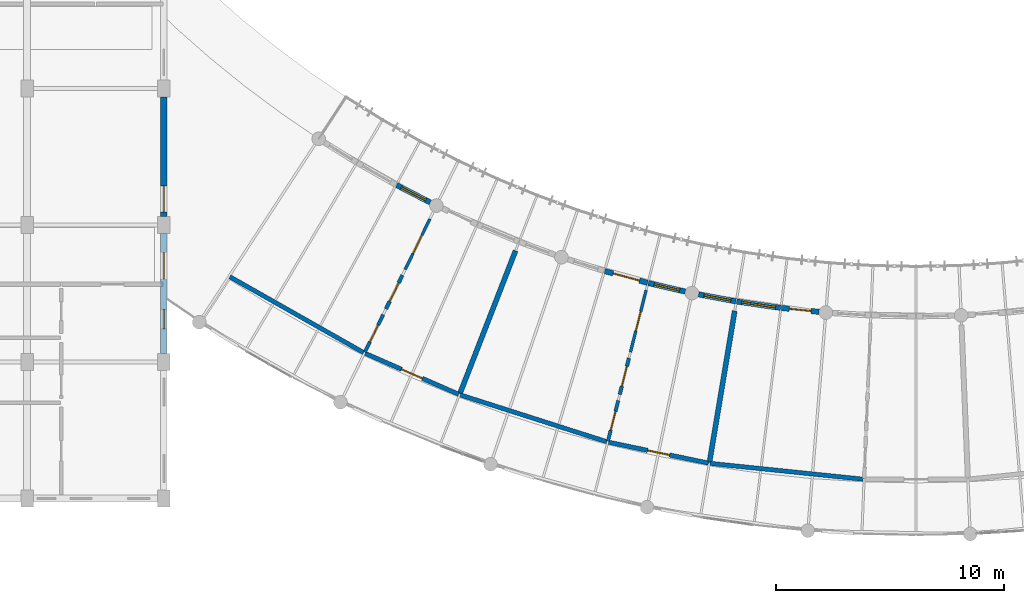
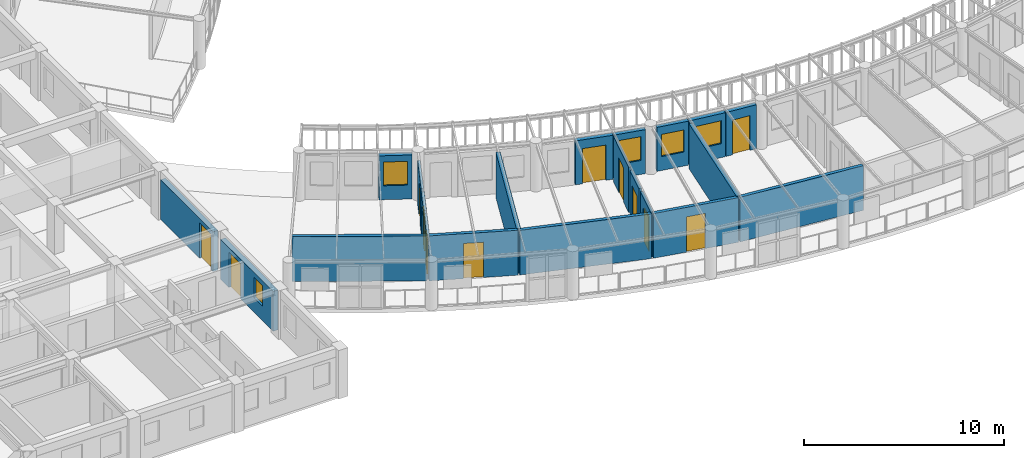
# One storey, part 57 of 100: 21 walls, 12 doors, 5 windows, 17 openings.
"""IFC4 building model written with IfcOpenShell, lengths in metres."""

from ifc_helpers import new_model, si_unit, direction, frame, frame_2d, origin, place, context, subcontext, project, spatial, rectangle, extrude, material, layer, layer_set, type_object, element, fill, save


model = new_model("IFC4")

# Units and contexts
model_context = context("Model", 3, precision=1e-05, world=origin(), true_north=direction((0.0, 1.0)))
body_context = subcontext(model_context, "Body", "Model", "MODEL_VIEW")
ifc_project = project(units=[si_unit("LENGTHUNIT", "METRE"), si_unit("AREAUNIT", "SQUARE_METRE"), si_unit("VOLUMEUNIT", "CUBIC_METRE"), si_unit("PLANEANGLEUNIT", "RADIAN"), si_unit("MASSUNIT", "GRAM", prefix="KILO"), si_unit("POWERUNIT", "WATT"), si_unit("THERMODYNAMICTEMPERATUREUNIT", "KELVIN")], contexts=[model_context])

# Site, building, storey
site_placement = place(None, origin())
site = spatial("IfcSite", under=ifc_project, at=site_placement, CompositionType="ELEMENT")
building_placement = place(site_placement, origin())
building = spatial("IfcBuilding", under=site, at=building_placement, Name="Ruvembo Vaulted Housing Court", CompositionType="ELEMENT")
storey_placement = place(building_placement, frame((0.0, 0.0, 14.10009765625)))
storey = spatial("IfcBuildingStorey", under=building, at=storey_placement, Name="L04", CompositionType="ELEMENT", Elevation=14.10009765625)

# Wall
ifc_material_1 = material(Name="Concrete Blockwork 190", Category="masonry")
ifc_layer_1 = layer(ifc_material_1, 0.18994140625, Name="Concrete Blockwork 190")
ifc_layer_set_1 = layer_set([ifc_layer_1], Name="Concrete Blockwork 190")
wall_type_1 = type_object("IfcWallType", Name="WL-CORR-190", PredefinedType="SOLIDWALL", material=ifc_layer_set_1)
wall_1_placement = place(storey_placement, frame((38.897216796875, 15.7333984375, 0.0), z_axis=(0.0, 0.0, 1.0), x_axis=(0.86996578951, -0.493112081664, 0.0)))
element("IfcWall", 1, at=wall_1_placement, inside=storey, type_object=wall_type_1, Name="L04 Suite SC2-L04-U1 Gallery Wall WL-INT-L04-01310", PredefinedType="SOLIDWALL", context=body_context, shape_type="SweptSolid", body=[
    extrude(rectangle(XDim=6.747314453125, YDim=0.18994140625, at=frame_2d((3.37353515625, 0.0))), origin(), (0.0, 0.0, 1.0), 2.741943359375),
])

# Wall, opening, door
wall_2_placement = place(storey_placement, frame((44.83837890625, 12.37060546875, 0.0), z_axis=(0.0, 0.0, 1.0), x_axis=(0.91610596958, -0.40093621999, 0.0)))
wall_2 = element("IfcWall", 2, at=wall_2_placement, inside=storey, type_object=wall_type_1, Name="L04 Suite SC2-L04-U1 Entrance WL-INT-L04-01311", PredefinedType="SOLIDWALL", context=body_context, shape_type="SweptSolid", body=[
    extrude(rectangle(XDim=4.47314453125, YDim=0.18994140625, at=frame_2d((2.236572265625, 0.0))), origin(), (0.0, 0.0, 1.0), 2.741943359375),
])
opening_1_placement = place(wall_2_placement, frame((1.736572265625, 0.0, 0.0)))
opening_1 = element("IfcOpeningElement", 3, at=opening_1_placement, cuts=wall_2, Name="Opening FD1", PredefinedType="OPENING", context=body_context, shape_type="SweptSolid", body=[
    extrude(rectangle(XDim=1.0, YDim=2.14990234375, at=frame_2d((0.5, 1.074951171875))), frame((0.0, 0.10498046875, 0.0), z_axis=(0.0, -1.0, 0.0), x_axis=(1.0, 0.0, 0.0)), (0.0, 0.0, 1.0), 0.2099609375),
])
ifc_material_2 = material(Name="FSC Hardwood and Engineered Timber", Category="wood")
door_type_1 = type_object("IfcDoorType", Name="DR-FLAT-1000x2150", OperationType="NOTDEFINED", PredefinedType="DOOR", material=ifc_material_2)
door_1_placement = place(opening_1_placement, origin())
door_1 = element("IfcDoor", 4, at=door_1_placement, inside=storey, type_object=door_type_1, Name="L04 Suite SC2-L04-U1 Entrance Door DR-INT-L04-00732", OperationType="SINGLE_SWING_RIGHT", OverallHeight=2.14990234375, OverallWidth=1.0, PredefinedType="DOOR", context=body_context, shape_type="SweptSolid", body=[
    extrude(rectangle(XDim=1.0, YDim=2.14990234375, at=frame_2d((0.5, 1.074951171875))), frame((0.0, 0.02490234375, 0.0), z_axis=(0.0, -1.0, 0.0), x_axis=(1.0, 0.0, 0.0)), (0.0, 0.0, 1.0), 0.050048828125),
])
fill(opening_1, door_1)

# Wall
wall_3_placement = place(storey_placement, frame((49.010986328125, 10.548828125, 0.0), z_axis=(0.0, 0.0, 1.0), x_axis=(0.952529122406, -0.304447484746, 0.0)))
element("IfcWall", 5, at=wall_3_placement, inside=storey, type_object=wall_type_1, Name="L04 Suite SC2-L04-U2 Gallery Wall WL-INT-L04-01316", PredefinedType="SOLIDWALL", context=body_context, shape_type="SweptSolid", body=[
    extrude(rectangle(XDim=6.747314453125, YDim=0.18994140625, at=frame_2d((3.37353515625, 0.0))), origin(), (0.0, 0.0, 1.0), 2.721923828125),
])

# Wall, opening, door
wall_4_placement = place(storey_placement, frame((55.51513671875, 8.47412109375, 0.0), z_axis=(0.0, 0.0, 1.0), x_axis=(0.978806148413, -0.204788973894, 0.0)))
wall_4 = element("IfcWall", 6, at=wall_4_placement, inside=storey, type_object=wall_type_1, Name="L04 Suite SC2-L04-U2 Entrance WL-INT-L04-01317", PredefinedType="SOLIDWALL", context=body_context, shape_type="SweptSolid", body=[
    extrude(rectangle(XDim=4.472900390625, YDim=0.18994140625, at=frame_2d((2.236328125, 0.0))), origin(), (0.0, 0.0, 1.0), 2.721923828125),
])
opening_2_placement = place(wall_4_placement, frame((1.74658203125, 0.0, 0.0)))
opening_2 = element("IfcOpeningElement", 7, at=opening_2_placement, cuts=wall_4, Name="Opening FD2", PredefinedType="OPENING", context=body_context, shape_type="SweptSolid", body=[
    extrude(rectangle(XDim=0.97998046875, YDim=2.14990234375, at=frame_2d((0.489990234375, 1.074951171875))), frame((0.0, 0.10498046875, 0.0), z_axis=(0.0, -1.0, 0.0), x_axis=(1.0, 0.0, 0.0)), (0.0, 0.0, 1.0), 0.2099609375),
])
door_type_2 = type_object("IfcDoorType", Name="DR-FLAT-0980x2150", OperationType="NOTDEFINED", PredefinedType="DOOR", material=ifc_material_2)
door_2_placement = place(opening_2_placement, origin())
door_2 = element("IfcDoor", 8, at=door_2_placement, inside=storey, type_object=door_type_2, Name="L04 Suite SC2-L04-U2 Entrance Door DR-INT-L04-00736", OperationType="SINGLE_SWING_RIGHT", OverallHeight=2.14990234375, OverallWidth=0.97998046875, PredefinedType="DOOR", context=body_context, shape_type="SweptSolid", body=[
    extrude(rectangle(XDim=0.97998046875, YDim=2.14990234375, at=frame_2d((0.489990234375, 1.074951171875))), frame((0.0, 0.02490234375, 0.0), z_axis=(0.0, -1.0, 0.0), x_axis=(1.0, 0.0, 0.0)), (0.0, 0.0, 1.0), 0.050048828125),
])
fill(opening_2, door_2)

# Walls
wall_5_placement = place(storey_placement, frame((59.972412109375, 7.545654296875, 0.0), z_axis=(0.0, 0.0, 1.0), x_axis=(0.994686939686, -0.10294606364, 0.0)))
element("IfcWall", 9, at=wall_5_placement, inside=storey, type_object=wall_type_1, Name="L04 Suite SC2-L04-U3 Gallery Wall WL-INT-L04-01322", PredefinedType="SOLIDWALL", context=body_context, shape_type="SweptSolid", body=[
    extrude(rectangle(XDim=6.7470703125, YDim=0.18994140625, at=frame_2d((3.37353515625, 0.0))), origin(), (0.0, 0.0, 1.0), 2.721923828125),
])
ifc_material_3 = material(Name="Acoustic Masonry Demising 220", Category="masonry")
ifc_layer_2 = layer(ifc_material_3, 0.219970703125, Name="Acoustic Masonry Demising 220")
ifc_layer_set_2 = layer_set([ifc_layer_2], Name="Acoustic Masonry Demising 220")
wall_type_2 = type_object("IfcWallType", Name="WL-DEM-200", PredefinedType="SOLIDWALL", material=ifc_layer_set_2)
wall_6_placement = place(storey_placement, frame((51.431396484375, 16.87548828125, 0.0), z_axis=(0.0, 0.0, 1.0), x_axis=(-0.362801288891, -0.931866527341, 0.0)))
element("IfcWall", 10, at=wall_6_placement, inside=storey, type_object=wall_type_2, Name="L04 Suite SC2-L04-U1 Demising WL-INT-L04-01315", PredefinedType="SOLIDWALL", context=body_context, shape_type="SweptSolid", body=[
    extrude(rectangle(XDim=6.736083984375, YDim=0.219970703125, at=frame_2d((3.3681640625, 0.0))), origin(), (0.0, 0.0, 1.0), 2.761962890625),
])
wall_7_placement = place(storey_placement, frame((61.045654296875, 14.233642578125, 0.0), z_axis=(0.0, 0.0, 1.0), x_axis=(-0.164263800505, -0.986416445445, 0.0)))
element("IfcWall", 11, at=wall_7_placement, inside=storey, type_object=wall_type_2, Name="L04 Suite SC2-L04-U2 Demising WL-INT-L04-01321", PredefinedType="SOLIDWALL", context=body_context, shape_type="SweptSolid", body=[
    extrude(rectangle(XDim=6.73583984375, YDim=0.219970703125, at=frame_2d((3.367919921875, 0.0))), origin(), (0.0, 0.0, 1.0), 2.741943359375),
])

# Wall, opening, window
ifc_material_4 = material(Name="Rendered Masonry 235", Category="masonry")
ifc_layer_3 = layer(ifc_material_4, 0.235107421875, Name="Rendered Masonry 235")
ifc_layer_set_3 = layer_set([ifc_layer_3], Name="Rendered Masonry 235")
wall_type_3 = type_object("IfcWallType", Name="WL-EXT-235", PredefinedType="STANDARD", material=ifc_layer_set_3)
wall_8_placement = place(storey_placement, frame((46.214599609375, 19.75341796875, 0.0), z_axis=(0.0, 0.0, 1.0), x_axis=(0.889521792954, -0.456892744372, 0.0)))
wall_8 = element("IfcWall", 12, at=wall_8_placement, inside=storey, type_object=wall_type_3, Name="Scoop SC2 L04 Concave Balcony Wall 2", PredefinedType="STANDARD", context=body_context, shape_type="SweptSolid", body=[
    extrude(rectangle(XDim=1.66015625, YDim=0.235107421875, at=frame_2d((0.830078125, 0.0))), origin(), (0.0, 0.0, 1.0), 2.683837890625),
])
opening_3_placement = place(wall_8_placement, frame((0.22998046875, 0.0, 0.85009765625)))
opening_3 = element("IfcOpeningElement", 13, at=opening_3_placement, cuts=wall_8, Name="Opening W13", PredefinedType="OPENING", context=body_context, shape_type="SweptSolid", body=[
    extrude(rectangle(XDim=1.199951171875, YDim=1.449951171875, at=frame_2d((0.60009765625, 0.72509765625))), frame((0.0, 0.12744140625, 0.0), z_axis=(0.0, -1.0, 0.0), x_axis=(1.0, 0.0, 0.0)), (0.0, 0.0, 1.0), 0.255126953125),
])
ifc_material_5 = material(Name="Double Solar-Control Glazing in Aluminium Frame", Category="aluminium")
window_type_1 = type_object("IfcWindowType", Name="WIN-1200x1450", PartitioningType="SINGLE_PANEL", PredefinedType="WINDOW", material=ifc_material_5)
window_1_placement = place(opening_3_placement, origin())
window_1 = element("IfcWindow", 14, at=window_1_placement, inside=storey, type_object=window_type_1, Name="Scoop SC2 L04 Concave Window 2", OverallHeight=1.449951171875, OverallWidth=1.199951171875, PartitioningType="SINGLE_PANEL", PredefinedType="WINDOW", context=body_context, shape_type="SweptSolid", body=[
    extrude(rectangle(XDim=1.199951171875, YDim=1.449951171875, at=frame_2d((0.60009765625, 0.72509765625))), frame((0.0, 0.030029296875, 0.0), z_axis=(0.0, -1.0, 0.0), x_axis=(1.0, 0.0, 0.0)), (0.0, 0.0, 1.0), 0.06005859375),
])
fill(opening_3, window_1)

# Wall, opening, door
wall_9_placement = place(storey_placement, frame((55.35009765625, 15.982177734375, 0.0), z_axis=(0.0, 0.0, 1.0), x_axis=(0.964271323293, -0.264916619098, 0.0)))
wall_9 = element("IfcWall", 15, at=wall_9_placement, inside=storey, type_object=wall_type_3, Name="Scoop SC2 L04 Concave Balcony Wall 7", PredefinedType="STANDARD", context=body_context, shape_type="SweptSolid", body=[
    extrude(rectangle(XDim=1.93994140625, YDim=0.235107421875, at=frame_2d((0.969970703125, 0.0))), origin(), (0.0, 0.0, 1.0), 2.683837890625),
])
opening_4_placement = place(wall_9_placement, frame((0.3701171875, 0.0, 0.0)))
opening_4 = element("IfcOpeningElement", 16, at=opening_4_placement, cuts=wall_9, Name="Opening BD2", PredefinedType="OPENING", context=body_context, shape_type="SweptSolid", body=[
    extrude(rectangle(XDim=1.199951171875, YDim=2.14990234375, at=frame_2d((0.60009765625, 1.074951171875))), frame((0.0, 0.12744140625, 0.0), z_axis=(0.0, -1.0, 0.0), x_axis=(1.0, 0.0, 0.0)), (0.0, 0.0, 1.0), 0.255126953125),
])
ifc_material_6 = material(Name="Thermally Broken Glazed Aluminium", Category="aluminium")
door_type_3 = type_object("IfcDoorType", Name="DR-BAL-1200x2150", OperationType="NOTDEFINED", PredefinedType="DOOR", material=ifc_material_6)
door_3_placement = place(opening_4_placement, origin())
door_3 = element("IfcDoor", 17, at=door_3_placement, inside=storey, type_object=door_type_3, Name="Scoop SC2 L04 Balcony Door 7", OperationType="SINGLE_SWING_RIGHT", OverallHeight=2.14990234375, OverallWidth=1.199951171875, PredefinedType="DOOR", context=body_context, shape_type="SweptSolid", body=[
    extrude(rectangle(XDim=1.199951171875, YDim=2.14990234375, at=frame_2d((0.60009765625, 1.074951171875))), frame((0.0, 0.02490234375, 0.0), z_axis=(0.0, -1.0, 0.0), x_axis=(1.0, 0.0, 0.0)), (0.0, 0.0, 1.0), 0.050048828125),
])
fill(opening_4, door_3)

# Wall, opening, window
wall_10_placement = place(storey_placement, frame((57.259521484375, 15.45849609375, 0.0), z_axis=(0.0, 0.0, 1.0), x_axis=(0.974354001174, -0.225020622158, 0.0)))
wall_10 = element("IfcWall", 18, at=wall_10_placement, inside=storey, type_object=wall_type_3, Name="Scoop SC2 L04 Concave Balcony Wall 8", PredefinedType="STANDARD", context=body_context, shape_type="SweptSolid", body=[
    extrude(rectangle(XDim=1.659912109375, YDim=0.235107421875, at=frame_2d((0.830078125, 0.0))), origin(), (0.0, 0.0, 1.0), 2.683837890625),
])
opening_5_placement = place(wall_10_placement, frame((0.2548828125, 0.0, 0.85009765625)))
opening_5 = element("IfcOpeningElement", 19, at=opening_5_placement, cuts=wall_10, Name="Opening W11", PredefinedType="OPENING", context=body_context, shape_type="SweptSolid", body=[
    extrude(rectangle(XDim=1.14990234375, YDim=1.449951171875, at=frame_2d((0.574951171875, 0.72509765625))), frame((0.0, 0.12744140625, 0.0), z_axis=(0.0, -1.0, 0.0), x_axis=(1.0, 0.0, 0.0)), (0.0, 0.0, 1.0), 0.255126953125),
])
window_type_2 = type_object("IfcWindowType", Name="WIN-1150x1450", PartitioningType="SINGLE_PANEL", PredefinedType="WINDOW", material=ifc_material_5)
window_2_placement = place(opening_5_placement, origin())
window_2 = element("IfcWindow", 20, at=window_2_placement, inside=storey, type_object=window_type_2, Name="Scoop SC2 L04 Concave Window 8", OverallHeight=1.449951171875, OverallWidth=1.14990234375, PartitioningType="SINGLE_PANEL", PredefinedType="WINDOW", context=body_context, shape_type="SweptSolid", body=[
    extrude(rectangle(XDim=1.14990234375, YDim=1.449951171875, at=frame_2d((0.574951171875, 0.72509765625))), frame((0.0, 0.030029296875, 0.0), z_axis=(0.0, -1.0, 0.0), x_axis=(1.0, 0.0, 0.0)), (0.0, 0.0, 1.0), 0.06005859375),
])
fill(opening_5, window_2)

wall_11_placement = place(storey_placement, frame((59.464111328125, 14.962158203125, 0.0), z_axis=(0.0, 0.0, 1.0), x_axis=(0.982820537681, -0.184563784945, 0.0)))
wall_11 = element("IfcWall", 21, at=wall_11_placement, inside=storey, type_object=wall_type_3, Name="Scoop SC2 L04 Concave Balcony Wall 9", PredefinedType="STANDARD", context=body_context, shape_type="SweptSolid", body=[
    extrude(rectangle(XDim=1.66015625, YDim=0.235107421875, at=frame_2d((0.830078125, 0.0))), origin(), (0.0, 0.0, 1.0), 2.683837890625),
])
opening_6_placement = place(wall_11_placement, frame((0.22998046875, 0.0, 0.85009765625)))
opening_6 = element("IfcOpeningElement", 22, at=opening_6_placement, cuts=wall_11, Name="Opening W12", PredefinedType="OPENING", context=body_context, shape_type="SweptSolid", body=[
    extrude(rectangle(XDim=1.199951171875, YDim=1.35009765625, at=frame_2d((0.60009765625, 0.675048828125))), frame((0.0, 0.12744140625, 0.0), z_axis=(0.0, -1.0, 0.0), x_axis=(1.0, 0.0, 0.0)), (0.0, 0.0, 1.0), 0.255126953125),
])
window_type_3 = type_object("IfcWindowType", Name="WIN-1200x1350", PartitioningType="SINGLE_PANEL", PredefinedType="WINDOW", material=ifc_material_5)
window_3_placement = place(opening_6_placement, origin())
window_3 = element("IfcWindow", 23, at=window_3_placement, inside=storey, type_object=window_type_3, Name="Scoop SC2 L04 Concave Window 9", OverallHeight=1.35009765625, OverallWidth=1.199951171875, PartitioningType="SINGLE_PANEL", PredefinedType="WINDOW", context=body_context, shape_type="SweptSolid", body=[
    extrude(rectangle(XDim=1.199951171875, YDim=1.35009765625, at=frame_2d((0.60009765625, 0.675048828125))), frame((0.0, 0.030029296875, 0.0), z_axis=(0.0, -1.0, 0.0), x_axis=(1.0, 0.0, 0.0)), (0.0, 0.0, 1.0), 0.06005859375),
])
fill(opening_6, window_3)

wall_12_placement = place(storey_placement, frame((61.135009765625, 14.649169921875, 0.0), z_axis=(0.0, 0.0, 1.0), x_axis=(0.989601751146, -0.14383453733, 0.0)))
wall_12 = element("IfcWall", 24, at=wall_12_placement, inside=storey, type_object=wall_type_3, Name="Scoop SC2 L04 Concave Balcony Wall 10", PredefinedType="STANDARD", context=body_context, shape_type="SweptSolid", body=[
    extrude(rectangle(XDim=1.940185546875, YDim=0.235107421875, at=frame_2d((0.97021484375, 0.0))), origin(), (0.0, 0.0, 1.0), 2.683837890625),
])
opening_7_placement = place(wall_12_placement, frame((0.219970703125, 0.0, 0.85009765625)))
opening_7 = element("IfcOpeningElement", 25, at=opening_7_placement, cuts=wall_12, Name="Opening W18", PredefinedType="OPENING", context=body_context, shape_type="SweptSolid", body=[
    extrude(rectangle(XDim=1.5, YDim=1.39990234375, at=frame_2d((0.75, 0.699951171875))), frame((0.0, 0.12744140625, 0.0), z_axis=(0.0, -1.0, 0.0), x_axis=(1.0, 0.0, 0.0)), (0.0, 0.0, 1.0), 0.255126953125),
])
window_type_4 = type_object("IfcWindowType", Name="WIN-1500x1400", PartitioningType="SINGLE_PANEL", PredefinedType="WINDOW", material=ifc_material_5)
window_4_placement = place(opening_7_placement, origin())
window_4 = element("IfcWindow", 26, at=window_4_placement, inside=storey, type_object=window_type_4, Name="Scoop SC2 L04 Concave Window 10", OverallHeight=1.39990234375, OverallWidth=1.5, PartitioningType="SINGLE_PANEL", PredefinedType="WINDOW", context=body_context, shape_type="SweptSolid", body=[
    extrude(rectangle(XDim=1.5, YDim=1.39990234375, at=frame_2d((0.75, 0.699951171875))), frame((0.0, 0.030029296875, 0.0), z_axis=(0.0, -1.0, 0.0), x_axis=(1.0, 0.0, 0.0)), (0.0, 0.0, 1.0), 0.06005859375),
])
fill(opening_7, window_4)

# Wall, opening, door
wall_13_placement = place(storey_placement, frame((63.094482421875, 14.364990234375, 0.0), z_axis=(0.0, 0.0, 1.0), x_axis=(0.994687640844, -0.102939288674, 0.0)))
wall_13 = element("IfcWall", 27, at=wall_13_placement, inside=storey, type_object=wall_type_3, Name="Scoop SC2 L04 Concave Balcony Wall 11", PredefinedType="STANDARD", context=body_context, shape_type="SweptSolid", body=[
    extrude(rectangle(XDim=1.66015625, YDim=0.235107421875, at=frame_2d((0.830078125, 0.0))), origin(), (0.0, 0.0, 1.0), 2.683837890625),
])
opening_8_placement = place(wall_13_placement, frame((0.35498046875, 0.0, 0.0)))
opening_8 = element("IfcOpeningElement", 28, at=opening_8_placement, cuts=wall_13, Name="Opening BD0", PredefinedType="OPENING", context=body_context, shape_type="SweptSolid", body=[
    extrude(rectangle(XDim=0.949951171875, YDim=2.1201171875, at=frame_2d((0.47509765625, 1.06005859375))), frame((0.0, 0.12744140625, 0.0), z_axis=(0.0, -1.0, 0.0), x_axis=(1.0, 0.0, 0.0)), (0.0, 0.0, 1.0), 0.255126953125),
])
door_type_4 = type_object("IfcDoorType", Name="DR-BAL-0950x2120", OperationType="NOTDEFINED", PredefinedType="DOOR", material=ifc_material_6)
door_4_placement = place(opening_8_placement, origin())
door_4 = element("IfcDoor", 29, at=door_4_placement, inside=storey, type_object=door_type_4, Name="Scoop SC2 L04 Balcony Door 11", OperationType="SINGLE_SWING_LEFT", OverallHeight=2.1201171875, OverallWidth=0.949951171875, PredefinedType="DOOR", context=body_context, shape_type="SweptSolid", body=[
    extrude(rectangle(XDim=0.949951171875, YDim=2.1201171875, at=frame_2d((0.47509765625, 1.06005859375))), frame((0.0, 0.02490234375, 0.0), z_axis=(0.0, -1.0, 0.0), x_axis=(1.0, 0.0, 0.0)), (0.0, 0.0, 1.0), 0.050048828125),
])
fill(opening_8, door_4)

# Wall, openings, door, window
ifc_material_7 = material(Name="Rendered Masonry 285", Category="masonry")
ifc_layer_4 = layer(ifc_material_7, 0.284912109375, Name="Rendered Masonry 285")
ifc_layer_set_4 = layer_set([ifc_layer_4], Name="Rendered Masonry 285")
wall_type_4 = type_object("IfcWallType", Name="WL-EXT-285", PredefinedType="STANDARD", material=ifc_layer_set_4)
wall_14_placement = place(storey_placement, frame((36.0, 12.375, 0.0), z_axis=(0.0, 0.0, 1.0), x_axis=(0.0, 1.0, 0.0)))
wall_14 = element("IfcWall", 30, at=wall_14_placement, inside=storey, type_object=wall_type_4, Name="Block A L04 Exterior Wall EAST #2", PredefinedType="STANDARD", context=body_context, shape_type="SweptSolid", body=[
    extrude(rectangle(XDim=5.25, YDim=0.284912109375, at=frame_2d((2.625, 0.0))), origin(), (0.0, 0.0, 1.0), 2.431884765625),
])
opening_9_placement = place(wall_14_placement, frame((3.264892578125, 0.0, 0.0)))
opening_9 = element("IfcOpeningElement", 31, at=opening_9_placement, cuts=wall_14, Name="Opening GD1", PredefinedType="OPENING", context=body_context, shape_type="SweptSolid", body=[
    extrude(rectangle(XDim=1.14990234375, YDim=2.14990234375, at=frame_2d((0.574951171875, 1.074951171875))), frame((0.0, 0.15234375, 0.0), z_axis=(0.0, -1.0, 0.0), x_axis=(1.0, 0.0, 0.0)), (0.0, 0.0, 1.0), 0.304931640625),
])
opening_10_placement = place(wall_14_placement, frame((1.0673828125, 0.0, 0.89990234375)))
opening_10 = element("IfcOpeningElement", 32, at=opening_10_placement, cuts=wall_14, Name="Opening W03", PredefinedType="OPENING", context=body_context, shape_type="SweptSolid", body=[
    extrude(rectangle(XDim=0.85009765625, YDim=1.25, at=frame_2d((0.425048828125, 0.625))), frame((0.0, 0.15234375, 0.0), z_axis=(0.0, -1.0, 0.0), x_axis=(1.0, 0.0, 0.0)), (0.0, 0.0, 1.0), 0.304931640625),
])
door_type_5 = type_object("IfcDoorType", Name="DR-GAL-1150x2150", OperationType="NOTDEFINED", PredefinedType="DOOR", material=ifc_material_6)
door_5_placement = place(opening_9_placement, frame((1.14990234375, 0.0, 0.0), z_axis=(0.0, 0.0, 1.0), x_axis=(-1.0, 0.0, 0.0)))
door_5 = element("IfcDoor", 33, at=door_5_placement, inside=storey, type_object=door_type_5, Name="Block A L04 Terrace or Gallery Door DR-TER-A-L04-015", OperationType="SINGLE_SWING_RIGHT", OverallHeight=2.14990234375, OverallWidth=1.14990234375, PredefinedType="DOOR", context=body_context, shape_type="SweptSolid", body=[
    extrude(rectangle(XDim=1.14990234375, YDim=2.14990234375, at=frame_2d((0.574951171875, 1.074951171875))), frame((0.0, 0.02490234375, 0.0), z_axis=(0.0, -1.0, 0.0), x_axis=(1.0, 0.0, 0.0)), (0.0, 0.0, 1.0), 0.050048828125),
])
fill(opening_9, door_5)
window_type_5 = type_object("IfcWindowType", Name="WIN-0850x1250", PartitioningType="SINGLE_PANEL", PredefinedType="WINDOW", material=ifc_material_5)
window_5_placement = place(opening_10_placement, origin())
window_5 = element("IfcWindow", 34, at=window_5_placement, inside=storey, type_object=window_type_5, Name="Block A L04 Window #181", OverallHeight=1.25, OverallWidth=0.85009765625, PartitioningType="SINGLE_PANEL", PredefinedType="WINDOW", context=body_context, shape_type="SweptSolid", body=[
    extrude(rectangle(XDim=0.85009765625, YDim=1.25, at=frame_2d((0.425048828125, 0.625))), frame((0.0, 0.030029296875, 0.0), z_axis=(0.0, -1.0, 0.0), x_axis=(1.0, 0.0, 0.0)), (0.0, 0.0, 1.0), 0.06005859375),
])
fill(opening_10, window_5)

# Wall, opening, door
wall_15_placement = place(storey_placement, frame((36.0, 18.375, 0.0), z_axis=(0.0, 0.0, 1.0), x_axis=(0.0, 1.0, 0.0)))
wall_15 = element("IfcWall", 35, at=wall_15_placement, inside=storey, type_object=wall_type_4, Name="Block A L04 Exterior Wall EAST #3", PredefinedType="STANDARD", context=body_context, shape_type="SweptSolid", body=[
    extrude(rectangle(XDim=5.25, YDim=0.284912109375, at=frame_2d((2.625, 0.0))), origin(), (0.0, 0.0, 1.0), 2.431884765625),
])
opening_11_placement = place(wall_15_placement, frame((0.199951171875, 0.0, 0.0)))
opening_11 = element("IfcOpeningElement", 36, at=opening_11_placement, cuts=wall_15, Name="Opening GD1", PredefinedType="OPENING", context=body_context, shape_type="SweptSolid", body=[
    extrude(rectangle(XDim=1.14990234375, YDim=2.14990234375, at=frame_2d((0.574951171875, 1.074951171875))), frame((0.0, 0.15234375, 0.0), z_axis=(0.0, -1.0, 0.0), x_axis=(1.0, 0.0, 0.0)), (0.0, 0.0, 1.0), 0.304931640625),
])
door_6_placement = place(opening_11_placement, frame((1.14990234375, 0.0, 0.0), z_axis=(0.0, 0.0, 1.0), x_axis=(-1.0, 0.0, 0.0)))
door_6 = element("IfcDoor", 37, at=door_6_placement, inside=storey, type_object=door_type_5, Name="Block A L04 Terrace or Gallery Door DR-TER-A-L04-016", OperationType="SINGLE_SWING_LEFT", OverallHeight=2.14990234375, OverallWidth=1.14990234375, PredefinedType="DOOR", context=body_context, shape_type="SweptSolid", body=[
    extrude(rectangle(XDim=1.14990234375, YDim=2.14990234375, at=frame_2d((0.574951171875, 1.074951171875))), frame((0.0, 0.02490234375, 0.0), z_axis=(0.0, -1.0, 0.0), x_axis=(1.0, 0.0, 0.0)), (0.0, 0.0, 1.0), 0.050048828125),
])
fill(opening_11, door_6)

ifc_material_8 = material(Name="Plasterboard Stud Partition 125", Category="gypsum")
ifc_layer_5 = layer(ifc_material_8, 0.125, Name="Plasterboard Stud Partition 125")
ifc_layer_set_5 = layer_set([ifc_layer_5], Name="Plasterboard Stud Partition 125")
wall_type_5 = type_object("IfcWallType", Name="WL-PART-125", PredefinedType="PARTITIONING", material=ifc_layer_set_5)
wall_16_placement = place(storey_placement, frame((47.674072265625, 18.275390625, 0.0), z_axis=(0.0, 0.0, 1.0), x_axis=(-0.438371263406, -0.898793989421, 0.0)))
wall_16 = element("IfcWall", 38, at=wall_16_placement, inside=storey, type_object=wall_type_5, Name="L04 Suite SC2-L04-U1 Bedroom WL-INT-L04-01312", PredefinedType="PARTITIONING", context=body_context, shape_type="SweptSolid", body=[
    extrude(rectangle(XDim=2.47998046875, YDim=0.125, at=frame_2d((1.239990234375, 0.0))), origin(), (0.0, 0.0, 1.0), 2.721923828125),
])
opening_12_placement = place(wall_16_placement, frame((0.800048828125, 0.0, 0.0)))
opening_12 = element("IfcOpeningElement", 39, at=opening_12_placement, cuts=wall_16, Name="Opening ID3", PredefinedType="OPENING", context=body_context, shape_type="SweptSolid", body=[
    extrude(rectangle(XDim=0.8798828125, YDim=2.10009765625, at=frame_2d((0.43994140625, 1.050048828125))), frame((0.0, 0.072509765625, 0.0), z_axis=(0.0, -1.0, 0.0), x_axis=(1.0, 0.0, 0.0)), (0.0, 0.0, 1.0), 0.14501953125),
])
door_type_6 = type_object("IfcDoorType", Name="DR-ROOM-0880x2100", OperationType="NOTDEFINED", PredefinedType="DOOR", material=ifc_material_2)
door_7_placement = place(opening_12_placement, origin())
door_7 = element("IfcDoor", 40, at=door_7_placement, inside=storey, type_object=door_type_6, Name="L04 Suite SC2-L04-U1 Bedroom Door DR-INT-L04-00733", OperationType="SINGLE_SWING_LEFT", OverallHeight=2.10009765625, OverallWidth=0.8798828125, PredefinedType="DOOR", context=body_context, shape_type="SweptSolid", body=[
    extrude(rectangle(XDim=0.8798828125, YDim=2.10009765625, at=frame_2d((0.43994140625, 1.050048828125))), frame((0.0, 0.02490234375, 0.0), z_axis=(0.0, -1.0, 0.0), x_axis=(1.0, 0.0, 0.0)), (0.0, 0.0, 1.0), 0.050048828125),
])
fill(opening_12, door_7)

wall_17_placement = place(storey_placement, frame((57.15966796875, 15.14501953125, 0.0), z_axis=(0.0, 0.0, 1.0), x_axis=(-0.245017317517, -0.969518702304, 0.0)))
wall_17 = element("IfcWall", 41, at=wall_17_placement, inside=storey, type_object=wall_type_5, Name="L04 Suite SC2-L04-U2 Bedroom WL-INT-L04-01318", PredefinedType="PARTITIONING", context=body_context, shape_type="SweptSolid", body=[
    extrude(rectangle(XDim=2.800048828125, YDim=0.125, at=frame_2d((1.39990234375, 0.0))), origin(), (0.0, 0.0, 1.0), 2.761962890625),
])
opening_13_placement = place(wall_17_placement, frame((0.9599609375, 0.0, 0.0)))
opening_13 = element("IfcOpeningElement", 42, at=opening_13_placement, cuts=wall_17, Name="Opening ID3", PredefinedType="OPENING", context=body_context, shape_type="SweptSolid", body=[
    extrude(rectangle(XDim=0.8798828125, YDim=2.10009765625, at=frame_2d((0.43994140625, 1.050048828125))), frame((0.0, 0.072509765625, 0.0), z_axis=(0.0, -1.0, 0.0), x_axis=(1.0, 0.0, 0.0)), (0.0, 0.0, 1.0), 0.14501953125),
])
door_8_placement = place(opening_13_placement, origin())
door_8 = element("IfcDoor", 43, at=door_8_placement, inside=storey, type_object=door_type_6, Name="L04 Suite SC2-L04-U2 Bedroom Door DR-INT-L04-00737", OperationType="SINGLE_SWING_LEFT", OverallHeight=2.10009765625, OverallWidth=0.8798828125, PredefinedType="DOOR", context=body_context, shape_type="SweptSolid", body=[
    extrude(rectangle(XDim=0.8798828125, YDim=2.10009765625, at=frame_2d((0.43994140625, 1.050048828125))), frame((0.0, 0.02490234375, 0.0), z_axis=(0.0, -1.0, 0.0), x_axis=(1.0, 0.0, 0.0)), (0.0, 0.0, 1.0), 0.050048828125),
])
fill(opening_13, door_8)

ifc_material_9 = material(Name="Moisture-Resistant Wet Partition 150", Category="gypsum")
ifc_layer_6 = layer(ifc_material_9, 0.14990234375, Name="Moisture-Resistant Wet Partition 150")
ifc_layer_set_6 = layer_set([ifc_layer_6], Name="Moisture-Resistant Wet Partition 150")
wall_type_6 = type_object("IfcWallType", Name="WL-PART-150", PredefinedType="PARTITIONING", material=ifc_layer_set_6)
wall_18_placement = place(storey_placement, frame((45.626220703125, 14.076416015625, 0.0), z_axis=(0.0, 0.0, 1.0), x_axis=(-0.438488979871, -0.898736565703, 0.0)))
wall_18 = element("IfcWall", 44, at=wall_18_placement, inside=storey, type_object=wall_type_6, Name="L04 Suite SC2-L04-U1 Bathroom WL-INT-L04-01314", PredefinedType="PARTITIONING", context=body_context, shape_type="SweptSolid", body=[
    extrude(rectangle(XDim=1.840087890625, YDim=0.14990234375, at=frame_2d((0.919921875, 0.0))), origin(), (0.0, 0.0, 1.0), 2.721923828125),
])
opening_14_placement = place(wall_18_placement, frame((0.510009765625, 0.0, 0.0)))
opening_14 = element("IfcOpeningElement", 45, at=opening_14_placement, cuts=wall_18, Name="Opening ID4", PredefinedType="OPENING", context=body_context, shape_type="SweptSolid", body=[
    extrude(rectangle(XDim=0.820068359375, YDim=2.080078125, at=frame_2d((0.41015625, 1.0400390625))), frame((0.0, 0.0849609375, 0.0), z_axis=(0.0, -1.0, 0.0), x_axis=(1.0, 0.0, 0.0)), (0.0, 0.0, 1.0), 0.169921875),
])
door_type_7 = type_object("IfcDoorType", Name="DR-WET-0820x2080", OperationType="NOTDEFINED", PredefinedType="DOOR", material=ifc_material_2)
door_9_placement = place(opening_14_placement, origin())
door_9 = element("IfcDoor", 46, at=door_9_placement, inside=storey, type_object=door_type_7, Name="L04 Suite SC2-L04-U1 Bathroom Door DR-INT-L04-00735", OperationType="SINGLE_SWING_LEFT", OverallHeight=2.080078125, OverallWidth=0.820068359375, PredefinedType="DOOR", context=body_context, shape_type="SweptSolid", body=[
    extrude(rectangle(XDim=0.820068359375, YDim=2.080078125, at=frame_2d((0.41015625, 1.0400390625))), frame((0.0, 0.02490234375, 0.0), z_axis=(0.0, -1.0, 0.0), x_axis=(1.0, 0.0, 0.0)), (0.0, 0.0, 1.0), 0.050048828125),
])
fill(opening_14, door_9)

wall_19_placement = place(storey_placement, frame((55.9365234375, 10.304931640625, 0.0), z_axis=(0.0, 0.0, 1.0), x_axis=(-0.24497035727, -0.969530568914, 0.0)))
wall_19 = element("IfcWall", 47, at=wall_19_placement, inside=storey, type_object=wall_type_6, Name="L04 Suite SC2-L04-U2 Bathroom WL-INT-L04-01320", PredefinedType="PARTITIONING", context=body_context, shape_type="SweptSolid", body=[
    extrude(rectangle(XDim=1.83984375, YDim=0.14990234375, at=frame_2d((0.919921875, 0.0))), origin(), (0.0, 0.0, 1.0), 2.761962890625),
])
opening_15_placement = place(wall_19_placement, frame((0.494873046875, 0.0, 0.0)))
opening_15 = element("IfcOpeningElement", 48, at=opening_15_placement, cuts=wall_19, Name="Opening ID2", PredefinedType="OPENING", context=body_context, shape_type="SweptSolid", body=[
    extrude(rectangle(XDim=0.85009765625, YDim=2.10009765625, at=frame_2d((0.425048828125, 1.050048828125))), frame((0.0, 0.0849609375, 0.0), z_axis=(0.0, -1.0, 0.0), x_axis=(1.0, 0.0, 0.0)), (0.0, 0.0, 1.0), 0.169921875),
])
door_type_8 = type_object("IfcDoorType", Name="DR-WET-0850x2100", OperationType="NOTDEFINED", PredefinedType="DOOR", material=ifc_material_2)
door_10_placement = place(opening_15_placement, origin())
door_10 = element("IfcDoor", 49, at=door_10_placement, inside=storey, type_object=door_type_8, Name="L04 Suite SC2-L04-U2 Bathroom Door DR-INT-L04-00739", OperationType="SINGLE_SWING_LEFT", OverallHeight=2.10009765625, OverallWidth=0.85009765625, PredefinedType="DOOR", context=body_context, shape_type="SweptSolid", body=[
    extrude(rectangle(XDim=0.85009765625, YDim=2.10009765625, at=frame_2d((0.425048828125, 1.050048828125))), frame((0.0, 0.02490234375, 0.0), z_axis=(0.0, -1.0, 0.0), x_axis=(1.0, 0.0, 0.0)), (0.0, 0.0, 1.0), 0.050048828125),
])
fill(opening_15, door_10)

ifc_material_10 = material(Name="Acoustic Service Chase Wall 160", Category="gypsum")
ifc_layer_7 = layer(ifc_material_10, 0.159912109375, Name="Acoustic Service Chase Wall 160")
ifc_layer_set_7 = layer_set([ifc_layer_7], Name="Acoustic Service Chase Wall 160")
wall_type_7 = type_object("IfcWallType", Name="WL-PLUMB-160", PredefinedType="PLUMBINGWALL", material=ifc_layer_set_7)
wall_20_placement = place(storey_placement, frame((46.4677734375, 15.802001953125, 0.0), z_axis=(0.0, 0.0, 1.0), x_axis=(-0.438482002729, -0.898739969782, 0.0)))
wall_20 = element("IfcWall", 50, at=wall_20_placement, inside=storey, type_object=wall_type_7, Name="L04 Suite SC2-L04-U1 Kitchen WL-INT-L04-01313", PredefinedType="PLUMBINGWALL", context=body_context, shape_type="SweptSolid", body=[
    extrude(rectangle(XDim=1.648193359375, YDim=0.159912109375, at=frame_2d((0.82421875, 0.0))), origin(), (0.0, 0.0, 1.0), 2.721923828125),
])
opening_16_placement = place(wall_20_placement, frame((0.3740234375, 0.0, 0.0)))
opening_16 = element("IfcOpeningElement", 51, at=opening_16_placement, cuts=wall_20, Name="Opening ID1", PredefinedType="OPENING", context=body_context, shape_type="SweptSolid", body=[
    extrude(rectangle(XDim=0.89990234375, YDim=2.10009765625, at=frame_2d((0.449951171875, 1.050048828125))), frame((0.0, 0.08984375, 0.0), z_axis=(0.0, -1.0, 0.0), x_axis=(1.0, 0.0, 0.0)), (0.0, 0.0, 1.0), 0.179931640625),
])
door_type_9 = type_object("IfcDoorType", Name="DR-ROOM-0900x2100", OperationType="NOTDEFINED", PredefinedType="DOOR", material=ifc_material_2)
door_11_placement = place(opening_16_placement, origin())
door_11 = element("IfcDoor", 52, at=door_11_placement, inside=storey, type_object=door_type_9, Name="L04 Suite SC2-L04-U1 Kitchen Door DR-INT-L04-00734", OperationType="SINGLE_SWING_RIGHT", OverallHeight=2.10009765625, OverallWidth=0.89990234375, PredefinedType="DOOR", context=body_context, shape_type="SweptSolid", body=[
    extrude(rectangle(XDim=0.89990234375, YDim=2.10009765625, at=frame_2d((0.449951171875, 1.050048828125))), frame((0.0, 0.02490234375, 0.0), z_axis=(0.0, -1.0, 0.0), x_axis=(1.0, 0.0, 0.0)), (0.0, 0.0, 1.0), 0.050048828125),
])
fill(opening_16, door_11)

wall_21_placement = place(storey_placement, frame((56.406982421875, 12.16650390625, 0.0), z_axis=(0.0, 0.0, 1.0), x_axis=(-0.245044695728, -0.969511782855, 0.0)))
wall_21 = element("IfcWall", 53, at=wall_21_placement, inside=storey, type_object=wall_type_7, Name="L04 Suite SC2-L04-U2 Kitchen WL-INT-L04-01319", PredefinedType="PLUMBINGWALL", context=body_context, shape_type="SweptSolid", body=[
    extrude(rectangle(XDim=1.64794921875, YDim=0.159912109375, at=frame_2d((0.823974609375, 0.0))), origin(), (0.0, 0.0, 1.0), 2.761962890625),
])
opening_17_placement = place(wall_21_placement, frame((0.3740234375, 0.0, 0.0)))
opening_17 = element("IfcOpeningElement", 54, at=opening_17_placement, cuts=wall_21, Name="Opening ID1", PredefinedType="OPENING", context=body_context, shape_type="SweptSolid", body=[
    extrude(rectangle(XDim=0.89990234375, YDim=2.10009765625, at=frame_2d((0.449951171875, 1.050048828125))), frame((0.0, 0.08984375, 0.0), z_axis=(0.0, -1.0, 0.0), x_axis=(1.0, 0.0, 0.0)), (0.0, 0.0, 1.0), 0.179931640625),
])
door_12_placement = place(opening_17_placement, origin())
door_12 = element("IfcDoor", 55, at=door_12_placement, inside=storey, type_object=door_type_9, Name="L04 Suite SC2-L04-U2 Kitchen Door DR-INT-L04-00738", OperationType="SINGLE_SWING_RIGHT", OverallHeight=2.10009765625, OverallWidth=0.89990234375, PredefinedType="DOOR", context=body_context, shape_type="SweptSolid", body=[
    extrude(rectangle(XDim=0.89990234375, YDim=2.10009765625, at=frame_2d((0.449951171875, 1.050048828125))), frame((0.0, 0.02490234375, 0.0), z_axis=(0.0, -1.0, 0.0), x_axis=(1.0, 0.0, 0.0)), (0.0, 0.0, 1.0), 0.050048828125),
])
fill(opening_17, door_12)

save(model, "model.ifc")
